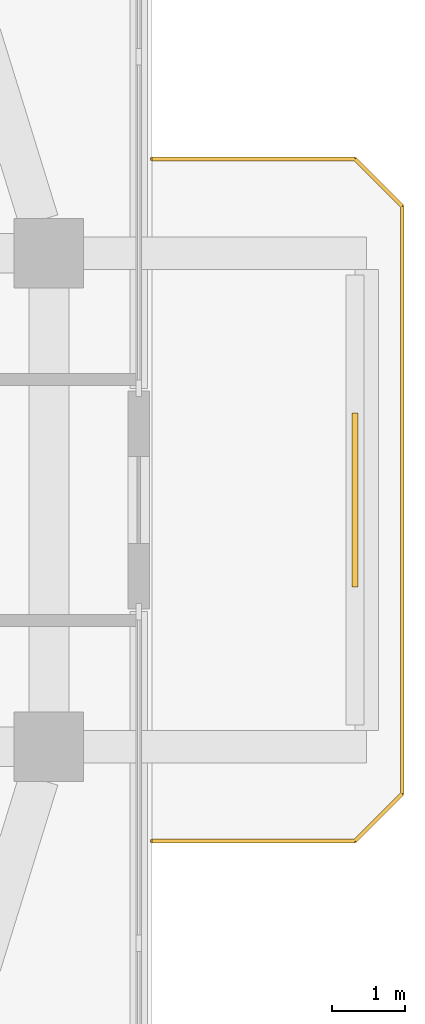
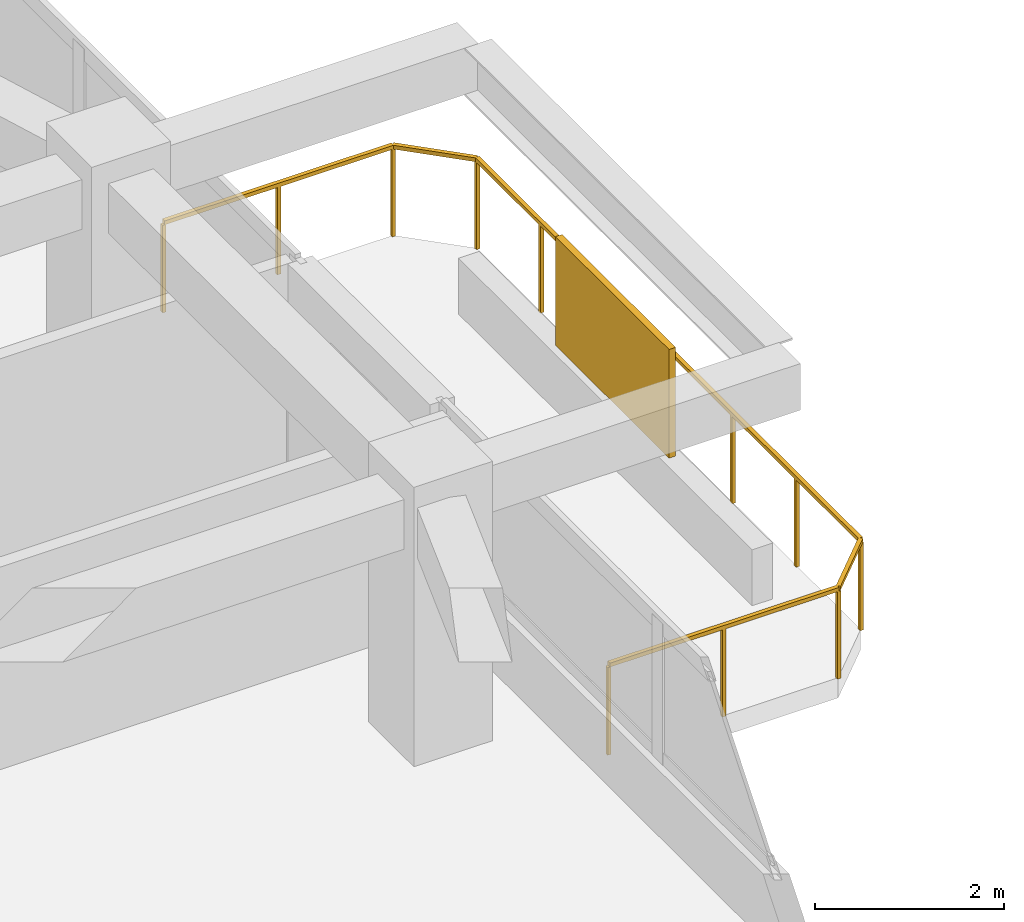
# One storey, part 13 of 13: 1 railing, 1 shading device.
"""IFC4 building model written with IfcOpenShell, lengths in metres."""

from ifc_helpers import new_model, si_unit, derived_unit, direction, frame, origin, origin_2d, place, context, subcontext, project, spatial, rectangle, extrude, material, layer, layer_set, type_object, element, save


model = new_model("IFC4")

# Units and contexts
model_context = context("Model", 3, precision=1e-05, world=origin(), true_north=direction((0.0, 1.0)))
body_context = subcontext(model_context, "Body", "Model", "MODEL_VIEW")
ifc_project = project(units=[si_unit("LENGTHUNIT", "METRE"), si_unit("AREAUNIT", "SQUARE_METRE"), si_unit("VOLUMEUNIT", "CUBIC_METRE"), si_unit("PLANEANGLEUNIT", "RADIAN"), si_unit("MASSUNIT", "GRAM", prefix="KILO"), derived_unit("THERMALTRANSMITTANCEUNIT", [(si_unit("POWERUNIT", "WATT"), 1), (si_unit("LENGTHUNIT", "METRE"), -2), (si_unit("THERMODYNAMICTEMPERATUREUNIT", "KELVIN"), -1)])], contexts=[model_context])

# Site, building, storey
site_placement = place(None, origin())
site = spatial("IfcSite", under=ifc_project, at=site_placement, CompositionType="ELEMENT")
building_placement = place(site_placement, origin())
building = spatial("IfcBuilding", under=site, at=building_placement, Name="Koralith Skygarden Medical Center", CompositionType="ELEMENT")
storey_placement = place(building_placement, frame((0.0, 0.0, 142.02001953125)))
storey = spatial("IfcBuildingStorey", under=building, at=storey_placement, Name="L36", CompositionType="ELEMENT", Elevation=142.02001953125)

# Railing
ifc_material_1 = material(Name="Steel ASTM A500 Grade C", Category="steel")
railing_type = type_object("IfcRailingType", Name="Outdoor Terrace & Balcony Safety Guardrail 1180", PredefinedType="GUARDRAIL", material=ifc_material_1)
railing_placement = place(storey_placement, frame((60.48388671875, 21.199951171875, 0.0)))
element("IfcRailing", 1, at=railing_placement, inside=storey, type_object=railing_type, Name="L36 E Balcony Perimeter Guardrail", PredefinedType="GUARDRAIL", context=body_context, shape_type="SweptSolid", body=[
    extrude(rectangle(XDim=0.050048828125, YDim=0.050048828125, at=origin_2d()), frame((0.001953125, 0.0, 1.15478515625), z_axis=(1.0, 0.0, 0.0), x_axis=(0.0, 1.0, 0.0)), (0.0, 0.0, 1.0), 2.796142578125),
    extrude(rectangle(XDim=0.050048828125, YDim=0.050048828125, at=origin_2d()), frame((2.801513671875, 0.00146484375, 1.15478515625), z_axis=(0.707106781187, 0.707106781187, 0.0), x_axis=(-0.707106781187, 0.707106781187, 0.0)), (0.0, 0.0, 1.0), 0.91552734375),
    extrude(rectangle(XDim=0.050048828125, YDim=0.050048828125, at=origin_2d()), frame((3.4501953125, 0.652099609375, 1.15478515625), z_axis=(0.0, 1.0, 0.0), x_axis=(-1.0, 0.0, 0.0)), (0.0, 0.0, 1.0), 8.095947265625),
    extrude(rectangle(XDim=0.050048828125, YDim=0.050048828125, at=origin_2d()), frame((3.44873046875, 8.75146484375, 1.15478515625), z_axis=(-0.707106781187, 0.707106781187, 0.0), x_axis=(-0.707106781187, -0.707106781187, 0.0)), (0.0, 0.0, 1.0), 0.91552734375),
    extrude(rectangle(XDim=0.050048828125, YDim=0.050048828125, at=origin_2d()), frame((2.798095703125, 9.400146484375, 1.15478515625), z_axis=(-1.0, 0.0, 0.0), x_axis=(0.0, -1.0, 0.0)), (0.0, 0.0, 1.0), 2.796142578125),
    extrude(rectangle(XDim=0.0419921875, YDim=0.0419921875, at=origin_2d()), origin(), (0.0, 0.0, 1.0), 1.1279296875),
    extrude(rectangle(XDim=0.0419921875, YDim=0.0419921875, at=origin_2d()), frame((1.39990234375, 0.0, 0.0)), (0.0, 0.0, 1.0), 1.1279296875),
    extrude(rectangle(XDim=0.0419921875, YDim=0.0419921875, at=origin_2d()), frame((2.800048828125, 0.0, 0.0)), (0.0, 0.0, 1.0), 1.1279296875),
    extrude(rectangle(XDim=0.0419921875, YDim=0.0419921875, at=origin_2d()), frame((3.4501953125, 0.650146484375, 0.0)), (0.0, 0.0, 1.0), 1.1279296875),
    extrude(rectangle(XDim=0.0419921875, YDim=0.0419921875, at=origin_2d()), frame((3.4501953125, 2.0, 0.0)), (0.0, 0.0, 1.0), 1.1279296875),
    extrude(rectangle(XDim=0.0419921875, YDim=0.0419921875, at=origin_2d()), frame((3.4501953125, 3.35009765625, 0.0)), (0.0, 0.0, 1.0), 1.1279296875),
    extrude(rectangle(XDim=0.0419921875, YDim=0.0419921875, at=origin_2d()), frame((3.4501953125, 4.7001953125, 0.0)), (0.0, 0.0, 1.0), 1.1279296875),
    extrude(rectangle(XDim=0.0419921875, YDim=0.0419921875, at=origin_2d()), frame((3.4501953125, 6.050048828125, 0.0)), (0.0, 0.0, 1.0), 1.1279296875),
    extrude(rectangle(XDim=0.0419921875, YDim=0.0419921875, at=origin_2d()), frame((3.4501953125, 7.39990234375, 0.0)), (0.0, 0.0, 1.0), 1.1279296875),
    extrude(rectangle(XDim=0.0419921875, YDim=0.0419921875, at=origin_2d()), frame((3.4501953125, 8.75, 0.0)), (0.0, 0.0, 1.0), 1.1279296875),
    extrude(rectangle(XDim=0.0419921875, YDim=0.0419921875, at=origin_2d()), frame((2.800048828125, 9.400146484375, 0.0)), (0.0, 0.0, 1.0), 1.1279296875),
    extrude(rectangle(XDim=0.0419921875, YDim=0.0419921875, at=origin_2d()), frame((1.39990234375, 9.400146484375, 0.0)), (0.0, 0.0, 1.0), 1.1279296875),
    extrude(rectangle(XDim=0.0419921875, YDim=0.0419921875, at=origin_2d()), frame((0.0, 9.400146484375, 0.0)), (0.0, 0.0, 1.0), 1.1279296875),
])

# Shading device
ifc_material_2 = material(Name="Aluminium 6063-T6", Category="aluminium")
ifc_layer = layer(ifc_material_2, 0.080078125)
ifc_layer_set = layer_set([ifc_layer], Name="Aluminium 6063-T6")
shading_device_type = type_object("IfcShadingDeviceType", Name="Perforated Biophilic Balcony Trellis Screen", PredefinedType="USERDEFINED", material=ifc_layer_set)
shading_device_placement = place(storey_placement, frame((63.283935546875, 25.89990234375, 0.719970703125), z_axis=(0.0, 0.0, 1.0), x_axis=(0.0, 1.0, 0.0)))
element("IfcShadingDevice", 2, at=shading_device_placement, inside=storey, type_object=shading_device_type, Name="L36 E Biophilic Balcony Trellis Screen", ObjectType="HURRICANE SCREEN", PredefinedType="USERDEFINED", context=body_context, shape_type="SweptSolid", body=[
    extrude(rectangle(XDim=2.39990234375, YDim=0.080078125, at=origin_2d()), origin(), (0.0, 0.0, 1.0), 1.39990234375),
])

save(model, "model.ifc")
